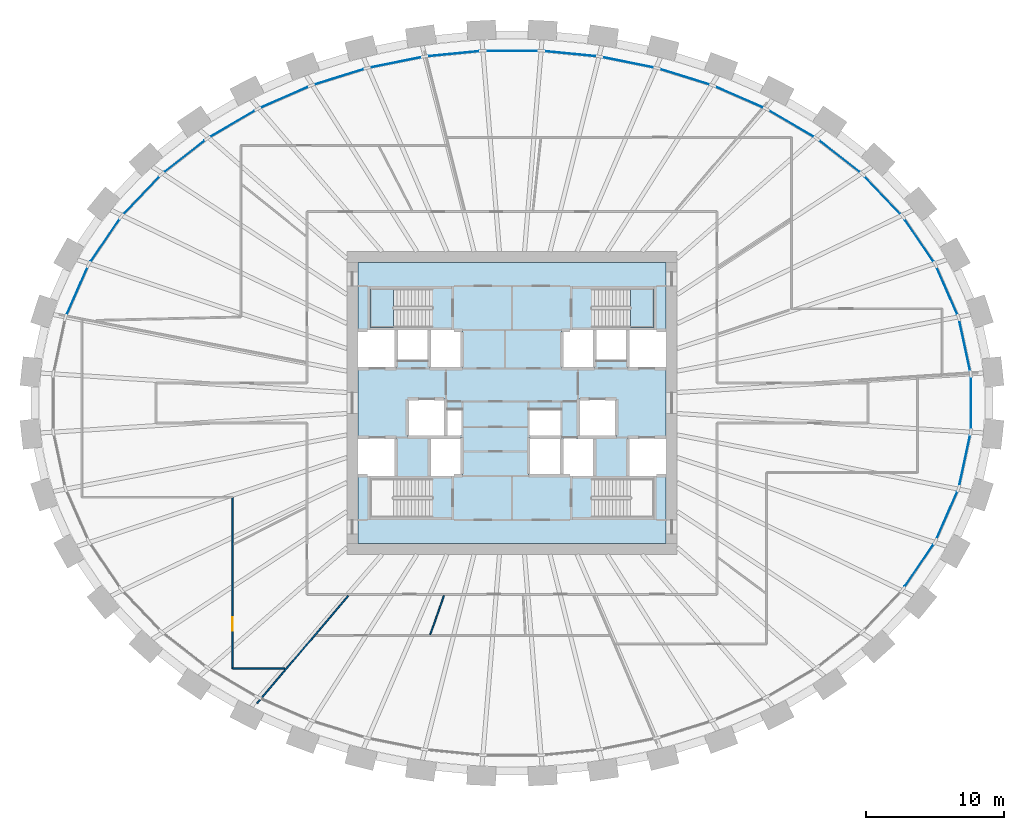
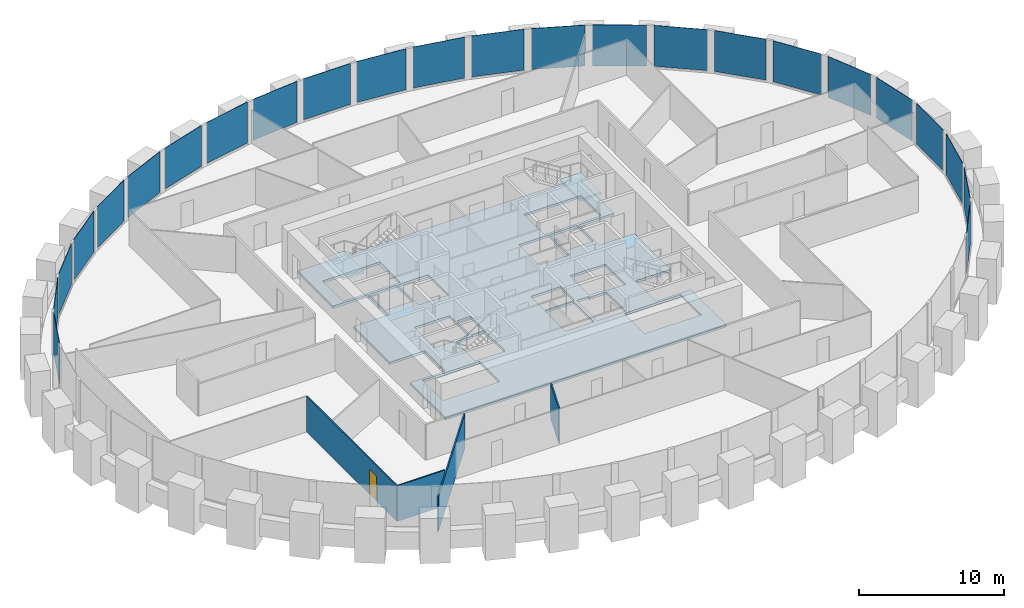
# One storey, part 5 of 11: 24 plates, 4 walls, 3 slabs, 1 door, 1 opening, 3 elements without a shape of their own.
"""IFC4 building model written with IfcOpenShell, lengths in metres."""

import ifcopenshell
import ifcopenshell.guid

model = None  # the IFC model being written
_history = None  # IfcOwnerHistory: only IFC2X3 demands one
_inside = {}  # id of a spatial element -> (the spatial element, [elements in it])
_under = {}  # id of a project, library or spatial element -> (it, [spatial elements below it])
_declared = {}  # id of a project -> (the project, [libraries it declares])
_typed = {}  # id of a type object -> (the type object, [elements of that type])
_made_of = {}  # id of a material, layer set ... -> (it, [elements and type objects made of it])


def new_model(schema):
    """Start an empty IFC model of exactly this schema.

    Asked for "IFC4X3", IfcOpenShell would pick the latest addendum, in which some entities
    have other attributes; the version numbers below select the first issue.
    IFC2X3 requires an IfcOwnerHistory on every rooted entity: one is made here for all.
    """
    global model, _history
    if schema == "IFC4X3":
        model = ifcopenshell.file(schema_version=(4, 3, 0, 0))
    else:
        model = ifcopenshell.file(schema=schema)
    _inside.clear()
    _under.clear()
    _declared.clear()
    _typed.clear()
    _made_of.clear()
    _history = None
    if model.schema == "IFC2X3":
        org = make("IfcOrganization", Name="unknown")
        user = make(
            "IfcPersonAndOrganization",
            ThePerson=make("IfcPerson", FamilyName="unknown"),
            TheOrganization=org,
        )
        app = make(
            "IfcApplication",
            ApplicationDeveloper=org,
            Version="unknown",
            ApplicationFullName="unknown",
            ApplicationIdentifier="unknown",
        )
        _history = make(
            "IfcOwnerHistory",
            OwningUser=user,
            OwningApplication=app,
            ChangeAction="ADDED",
            CreationDate=0,
        )
    return model


def make(cls, **values):
    """One entity of the class cls with the attributes given. An attribute that is None is left unset."""
    return model.create_entity(
        cls, **{name: value for name, value in values.items() if value is not None}
    )


def rooted(cls, **values):
    """An entity with a GlobalId (a new one), such as an element, a storey or a relation."""
    return make(cls, GlobalId=ifcopenshell.guid.new(), OwnerHistory=_history, **values)


def si_unit(unit_type, name, prefix=None):
    """IfcSIUnit, for example si_unit("LENGTHUNIT", "METRE", prefix="MILLI")."""
    return make("IfcSIUnit", UnitType=unit_type, Prefix=prefix, Name=name)


def assignment(units):
    """IfcUnitAssignment: the units of a project."""
    return None if units is None else make("IfcUnitAssignment", Units=units)


def point(xyz):
    """IfcCartesianPoint."""
    return None if xyz is None else make("IfcCartesianPoint", Coordinates=xyz)


def direction(xyz):
    """IfcDirection."""
    return None if xyz is None else make("IfcDirection", DirectionRatios=xyz)


def frame(location, z_axis=None, x_axis=None):
    """IfcAxis2Placement3D, a coordinate frame: its origin and axes. An axis left out is left unset."""
    return make(
        "IfcAxis2Placement3D",
        Location=point(location),
        Axis=direction(z_axis),
        RefDirection=direction(x_axis),
    )


def frame_2d(location, x_axis=None):
    """IfcAxis2Placement2D, a coordinate frame in the plane: its origin and x axis."""
    return make(
        "IfcAxis2Placement2D", Location=point(location), RefDirection=direction(x_axis)
    )


def origin():
    """The frame at (0, 0, 0) with its axes left unset."""
    return frame((0.0, 0.0, 0.0))


def origin_2d():
    """The frame at (0, 0) in the plane with its x axis left unset."""
    return frame_2d((0.0, 0.0))


def place(relative_to, where):
    """IfcLocalPlacement: puts the frame where relative to a parent placement (None: the world)."""
    return make(
        "IfcLocalPlacement", PlacementRelTo=relative_to, RelativePlacement=where
    )


def context(
    kind, dimensions, precision=None, world=None, true_north=None, identifier=None
):
    """IfcGeometricRepresentationContext, for example the 3D "Model" context."""
    return make(
        "IfcGeometricRepresentationContext",
        ContextIdentifier=identifier,
        ContextType=kind,
        CoordinateSpaceDimension=dimensions,
        Precision=precision,
        WorldCoordinateSystem=world,
        TrueNorth=true_north,
    )


def subcontext(parent, identifier, kind, view, scale=None):
    """IfcGeometricRepresentationSubContext, for example "Body" below "Model"."""
    return make(
        "IfcGeometricRepresentationSubContext",
        ContextIdentifier=identifier,
        ContextType=kind,
        ParentContext=parent,
        TargetScale=scale,
        TargetView=view,
    )


def project(units=None, contexts=None):
    """IfcProject with its units and contexts."""
    return rooted(
        "IfcProject",
        Name="project",
        RepresentationContexts=contexts,
        UnitsInContext=assignment(units),
    )


def spatial(cls, under=None, at=None, **own):
    """A site, building, storey or space (cls), placed at a placement, below another one or the project."""
    s = rooted(cls, ObjectPlacement=at, **own)
    if under is not None:
        _under.setdefault(under.id(), (under, []))[1].append(s)
    return s


def polyline(points):
    """IfcPolyline through the points."""
    return make("IfcPolyline", Points=[point(p) for p in points])


def profile(cls, at=None, kind="AREA", **sizes):
    """A parametric profile (cls). Its sizes go by their IFC names, for example OverallWidth=200.0."""
    return make(cls, ProfileType=kind, Position=at, **sizes)


def rectangle(**sizes):
    """IfcRectangleProfileDef."""
    return profile("IfcRectangleProfileDef", **sizes)


def outline(outer, holes=None, kind="AREA"):
    """IfcArbitraryClosedProfileDef: a profile drawn as a closed curve; with holes, ...WithVoids."""
    if holes is None:
        return make("IfcArbitraryClosedProfileDef", ProfileType=kind, OuterCurve=outer)
    return make(
        "IfcArbitraryProfileDefWithVoids",
        ProfileType=kind,
        OuterCurve=outer,
        InnerCurves=holes,
    )


def extrude(swept, where, along, depth):
    """IfcExtrudedAreaSolid: the profile swept, set in the frame where, extruded along a direction by depth."""
    return make(
        "IfcExtrudedAreaSolid",
        SweptArea=swept,
        Position=where,
        ExtrudedDirection=direction(along),
        Depth=depth,
    )


def shape(context_of_items, identifier, shape_type, items):
    """IfcShapeRepresentation: the items that make up one representation, for example the "Body"."""
    return make(
        "IfcShapeRepresentation",
        ContextOfItems=context_of_items,
        RepresentationIdentifier=identifier,
        RepresentationType=shape_type,
        Items=items,
    )


def source(mapping_origin, context_of_items, identifier, shape_type, items):
    """IfcRepresentationMap: a shape defined once, which mapped items show again and again."""
    return make(
        "IfcRepresentationMap",
        MappingOrigin=mapping_origin,
        MappedRepresentation=shape(context_of_items, identifier, shape_type, items),
    )


def transform(
    local_origin,
    x_axis=None,
    y_axis=None,
    z_axis=None,
    scale=None,
    scale2=None,
    scale3=None,
    uniform=True,
):
    """IfcCartesianTransformationOperator3D, or its non-uniform kind. x_axis, y_axis, z_axis: its Axis1, 2, 3."""
    if uniform:
        return make(
            "IfcCartesianTransformationOperator3D",
            Axis1=direction(x_axis),
            Axis2=direction(y_axis),
            LocalOrigin=point(local_origin),
            Scale=scale,
            Axis3=direction(z_axis),
        )
    return make(
        "IfcCartesianTransformationOperator3DnonUniform",
        Axis1=direction(x_axis),
        Axis2=direction(y_axis),
        LocalOrigin=point(local_origin),
        Scale=scale,
        Axis3=direction(z_axis),
        Scale2=scale2,
        Scale3=scale3,
    )


def mapped(mapping_source, mapping_target):
    """IfcMappedItem: shows the shape of a source again, moved by a transform."""
    return make(
        "IfcMappedItem", MappingSource=mapping_source, MappingTarget=mapping_target
    )


def material(Name=None, Category=None):
    """IfcMaterial."""
    return make("IfcMaterial", Name=Name, Category=Category)


def layer(
    of_material, thickness, ventilated=None, Name=None, Category=None, Priority=None
):
    """IfcMaterialLayer: one layer of a wall or slab, of a material (None: an air gap)."""
    return make(
        "IfcMaterialLayer",
        Material=of_material,
        LayerThickness=thickness,
        IsVentilated=ventilated,
        Name=Name,
        Category=Category,
        Priority=Priority,
    )


def layer_set(layers, Name=None):
    """IfcMaterialLayerSet."""
    return make("IfcMaterialLayerSet", MaterialLayers=layers, LayerSetName=Name)


def made_of(thing, what):
    """Note that an element or type object is made of a material, layer set ...; save() writes the relation."""
    if what is not None:
        _made_of.setdefault(what.id(), (what, []))[1].append(thing)
    return thing


def type_object(cls, material=None, **own):
    """A type object (cls), such as IfcWallType, which elements share."""
    return made_of(rooted(cls, **own), material)


def element(
    cls,
    number,
    at=None,
    inside=None,
    cuts=None,
    type_object=None,
    material=None,
    context=None,
    identifier="Body",
    shape_type=None,
    held_by="IfcProductDefinitionShape",
    body=None,
    shapes=None,
    **own,
):
    """One element of the class cls, such as IfcWall. Its Tag is "e" and its number.

    at: its placement. inside: the storey or other place that contains it. cuts: it is an
    opening in that element (IfcRelVoidsElement). A single representation is given by context,
    identifier, shape_type and body (its items); several are given by shapes. held_by: the class
    of the entity that holds the representations. save() writes the other relations.
    """
    e = rooted(cls, Tag="e%d" % number, ObjectPlacement=at, **own)
    if body is not None:
        shapes = [shape(context, identifier, shape_type, body)]
    if shapes is not None:
        e.Representation = make(held_by, Representations=shapes)
    if inside is not None:
        _inside.setdefault(inside.id(), (inside, []))[1].append(e)
    if cuts is not None:
        rooted(
            "IfcRelVoidsElement", RelatingBuildingElement=cuts, RelatedOpeningElement=e
        )
    if type_object is not None:
        _typed.setdefault(type_object.id(), (type_object, []))[1].append(e)
    return made_of(e, material)


def fill(opening, filler):
    """IfcRelFillsElement: the door or window that sits in an opening."""
    return rooted(
        "IfcRelFillsElement",
        RelatingOpeningElement=opening,
        RelatedBuildingElement=filler,
    )


def aggregate(whole, parts):
    """IfcRelAggregates: a whole, such as a stair, and the parts it consists of."""
    return rooted("IfcRelAggregates", RelatingObject=whole, RelatedObjects=parts)


def save(model, path):
    """Write the relations noted so far, then the file.

    IfcRelAggregates (storeys below a building ...), IfcRelContainedInSpatialStructure (elements
    in a storey), IfcRelDefinesByType, IfcRelAssociatesMaterial and IfcRelDeclares: one each for
    every whole, place, type object, material and project.
    """
    for whole, parts in _under.values():
        aggregate(whole, parts)
    for where, things in _inside.values():
        rooted(
            "IfcRelContainedInSpatialStructure",
            RelatedElements=things,
            RelatingStructure=where,
        )
    for kind, things in _typed.values():
        rooted("IfcRelDefinesByType", RelatedObjects=things, RelatingType=kind)
    for what, things in _made_of.values():
        rooted("IfcRelAssociatesMaterial", RelatedObjects=things, RelatingMaterial=what)
    for by, libraries in _declared.values():
        rooted("IfcRelDeclares", RelatingContext=by, RelatedDefinitions=libraries)
    model.write(path)


model = new_model("IFC4")

# Units and contexts
model_context = context("Model", 3, precision=1e-05, world=origin(), true_north=direction((0.0, 1.0)))
body_context = subcontext(model_context, "Body", "Model", "MODEL_VIEW")
ifc_project = project(units=[si_unit("LENGTHUNIT", "METRE"), si_unit("AREAUNIT", "SQUARE_METRE"), si_unit("VOLUMEUNIT", "CUBIC_METRE"), si_unit("PLANEANGLEUNIT", "RADIAN"), si_unit("MASSUNIT", "GRAM", prefix="KILO")], contexts=[model_context])

# Site, building, storey
site_placement = place(None, origin())
site = spatial("IfcSite", under=ifc_project, at=site_placement, CompositionType="ELEMENT")
building_placement = place(site_placement, origin())
building = spatial("IfcBuilding", under=site, at=building_placement, Name="Embergate Tower", CompositionType="ELEMENT")
storey_placement = place(building_placement, frame((0.0, 0.0, 230.699951171875)))
storey = spatial("IfcBuildingStorey", under=building, at=storey_placement, Name="L53", CompositionType="ELEMENT", Elevation=230.699951171875)

# Curtain wall, plates
ifc_material_1 = material(Name="Aluminium and glass", Category="aluminium")
curtain_wall_type = type_object("IfcCurtainWallType", Name="Recessed office glazing", PredefinedType="NOTDEFINED", material=ifc_material_1)
curtain_wall_placement = place(storey_placement, origin())
curtain_wall = element("IfcCurtainWall", 1, at=curtain_wall_placement, inside=storey, type_object=curtain_wall_type, Name="Recessed office glazing ring", ObjectType="RECESSED OFFICE GLAZING", PredefinedType="USERDEFINED")
ifc_material_2 = material(Name="Triple glazing, low-emissivity coating", Category="glass")
ifc_layer_1 = layer(ifc_material_2, 0.035888671875)
ifc_layer_set_1 = layer_set([ifc_layer_1], Name="Triple glazing, low-emissivity coating")
plate_type = type_object("IfcPlateType", Name="Office glazing unit", PredefinedType="CURTAIN_PANEL", material=ifc_layer_set_1)
shared_shape_1 = source(origin(), body_context, "Body", "SweptSolid", [
    extrude(rectangle(XDim=3.68310546875, YDim=0.035888671875, at=origin_2d()), origin(), (0.0, 0.0, 1.0), 3.449951171875),
])
plate_1_placement = place(storey_placement, frame((32.88720703125, 4.15478515625, 0.14990234375), z_axis=(0.0, 0.0, 1.0), x_axis=(-0.210403509958, 0.977614629083, 0.0)))
plate_1 = element("IfcPlate", 2, at=plate_1_placement, type_object=plate_type, Name="CW panel 1.1", PredefinedType="CURTAIN_PANEL", context=body_context, shape_type="MappedRepresentation", body=[
    mapped(shared_shape_1, transform((0.0, 0.0, 0.0))),
])
plate_2_placement = place(storey_placement, frame((32.88720703125, -4.15478515625, 0.14990234375), z_axis=(0.0, 0.0, 1.0), x_axis=(0.210403509958, 0.977614629083, 0.0)))
plate_2 = element("IfcPlate", 3, at=plate_2_placement, type_object=plate_type, Name="CW panel 43.1", PredefinedType="CURTAIN_PANEL", context=body_context, shape_type="MappedRepresentation", body=[
    mapped(shared_shape_1, transform((0.0, 0.0, 0.0))),
])
shared_shape_2 = source(origin(), body_context, "Body", "SweptSolid", [
    extrude(rectangle(XDim=3.68994140625, YDim=0.035888671875, at=origin_2d()), origin(), (0.0, 0.0, 1.0), 3.449951171875),
])
plate_3_placement = place(storey_placement, frame((31.599609375, 8.13671875, 0.14990234375), z_axis=(0.0, 0.0, 1.0), x_axis=(-0.40166169129, 0.915788122739, 0.0)))
plate_3 = element("IfcPlate", 4, at=plate_3_placement, type_object=plate_type, Name="CW panel 2.1", PredefinedType="CURTAIN_PANEL", context=body_context, shape_type="MappedRepresentation", body=[
    mapped(shared_shape_2, transform((0.0, 0.0, 0.0))),
])
plate_4_placement = place(storey_placement, frame((-31.599609375, 8.13671875, 0.14990234375), z_axis=(0.0, 0.0, 1.0), x_axis=(-0.40166169129, -0.915788122739, 0.0)))
plate_4 = element("IfcPlate", 5, at=plate_4_placement, type_object=plate_type, Name="CW panel 20.1", PredefinedType="CURTAIN_PANEL", context=body_context, shape_type="MappedRepresentation", body=[
    mapped(shared_shape_2, transform((0.0, 0.0, 0.0))),
])
plate_5_placement = place(storey_placement, frame((31.599609375, -8.13671875, 0.14990234375), z_axis=(0.0, 0.0, 1.0), x_axis=(0.40166169129, 0.915788122739, 0.0)))
plate_5 = element("IfcPlate", 6, at=plate_5_placement, type_object=plate_type, Name="CW panel 42.1", PredefinedType="CURTAIN_PANEL", context=body_context, shape_type="MappedRepresentation", body=[
    mapped(shared_shape_2, transform((0.0, 0.0, 0.0))),
])
shared_shape_3 = source(origin(), body_context, "Body", "SweptSolid", [
    extrude(rectangle(XDim=3.698486328125, YDim=0.035888671875, at=origin_2d()), origin(), (0.0, 0.0, 1.0), 3.449951171875),
])
plate_6_placement = place(storey_placement, frame((29.568115234375, 11.80859375, 0.14990234375), z_axis=(0.0, 0.0, 1.0), x_axis=(-0.562351844423, 0.826898060872, 0.0)))
plate_6 = element("IfcPlate", 7, at=plate_6_placement, type_object=plate_type, Name="CW panel 3.1", PredefinedType="CURTAIN_PANEL", context=body_context, shape_type="MappedRepresentation", body=[
    mapped(shared_shape_3, transform((0.0, 0.0, 0.0))),
])
plate_7_placement = place(storey_placement, frame((-29.568115234375, 11.80859375, 0.14990234375), z_axis=(0.0, 0.0, 1.0), x_axis=(-0.562351844423, -0.826898060872, 0.0)))
plate_7 = element("IfcPlate", 8, at=plate_7_placement, type_object=plate_type, Name="CW panel 19.1", PredefinedType="CURTAIN_PANEL", context=body_context, shape_type="MappedRepresentation", body=[
    mapped(shared_shape_3, transform((0.0, 0.0, 0.0))),
])
plate_8_placement = place(storey_placement, frame((29.568115234375, -11.80859375, 0.14990234375), z_axis=(0.0, 0.0, 1.0), x_axis=(0.562351844423, 0.826898060872, 0.0)))
plate_8 = element("IfcPlate", 9, at=plate_8_placement, type_object=plate_type, Name="CW panel 41.1", PredefinedType="CURTAIN_PANEL", context=body_context, shape_type="MappedRepresentation", body=[
    mapped(shared_shape_3, transform((0.0, 0.0, 0.0))),
])
shared_shape_4 = source(origin(), body_context, "Body", "SweptSolid", [
    extrude(rectangle(XDim=3.707275390625, YDim=0.035888671875, at=origin_2d()), origin(), (0.0, 0.0, 1.0), 3.449951171875),
])
plate_9_placement = place(storey_placement, frame((26.923095703125, 15.08251953125, 0.14990234375), z_axis=(0.0, 0.0, 1.0), x_axis=(-0.690143888901, 0.723672172059, 0.0)))
plate_9 = element("IfcPlate", 10, at=plate_9_placement, type_object=plate_type, Name="CW panel 4.1", PredefinedType="CURTAIN_PANEL", context=body_context, shape_type="MappedRepresentation", body=[
    mapped(shared_shape_4, transform((0.0, 0.0, 0.0))),
])
plate_10_placement = place(storey_placement, frame((-26.923095703125, 15.08251953125, 0.14990234375), z_axis=(0.0, 0.0, 1.0), x_axis=(-0.690143888901, -0.723672172059, 0.0)))
plate_10 = element("IfcPlate", 11, at=plate_10_placement, type_object=plate_type, Name="CW panel 18.1", PredefinedType="CURTAIN_PANEL", context=body_context, shape_type="MappedRepresentation", body=[
    mapped(shared_shape_4, transform((0.0, 0.0, 0.0))),
])
shared_shape_5 = source(origin(), body_context, "Body", "SweptSolid", [
    extrude(rectangle(XDim=3.714599609375, YDim=0.035888671875, at=origin_2d()), origin(), (0.0, 0.0, 1.0), 3.449951171875),
])
plate_11_placement = place(storey_placement, frame((23.79541015625, 17.914794921875, 0.14990234375), z_axis=(0.0, 0.0, 1.0), x_axis=(-0.788327636079, 0.615255668965, 0.0)))
plate_11 = element("IfcPlate", 12, at=plate_11_placement, type_object=plate_type, Name="CW panel 5.1", PredefinedType="CURTAIN_PANEL", context=body_context, shape_type="MappedRepresentation", body=[
    mapped(shared_shape_5, transform((0.0, 0.0, 0.0))),
])
plate_12_placement = place(storey_placement, frame((-23.79541015625, 17.914794921875, 0.14990234375), z_axis=(0.0, 0.0, 1.0), x_axis=(-0.788327636079, -0.615255668965, 0.0)))
plate_12 = element("IfcPlate", 13, at=plate_12_placement, type_object=plate_type, Name="CW panel 17.1", PredefinedType="CURTAIN_PANEL", context=body_context, shape_type="MappedRepresentation", body=[
    mapped(shared_shape_5, transform((0.0, 0.0, 0.0))),
])
shared_shape_6 = source(origin(), body_context, "Body", "SweptSolid", [
    extrude(rectangle(XDim=3.720458984375, YDim=0.035888671875, at=origin_2d()), origin(), (0.0, 0.0, 1.0), 3.449951171875),
])
plate_13_placement = place(storey_placement, frame((20.29833984375, 20.2919921875, 0.14990234375), z_axis=(0.0, 0.0, 1.0), x_axis=(-0.862058475148, 0.506808825323, 0.0)))
plate_13 = element("IfcPlate", 14, at=plate_13_placement, type_object=plate_type, Name="CW panel 6.1", PredefinedType="CURTAIN_PANEL", context=body_context, shape_type="MappedRepresentation", body=[
    mapped(shared_shape_6, transform((0.0, 0.0, 0.0))),
])
plate_14_placement = place(storey_placement, frame((-20.29833984375, 20.2919921875, 0.14990234375), z_axis=(0.0, 0.0, 1.0), x_axis=(-0.862058475148, -0.506808825323, 0.0)))
plate_14 = element("IfcPlate", 15, at=plate_14_placement, type_object=plate_type, Name="CW panel 16.1", PredefinedType="CURTAIN_PANEL", context=body_context, shape_type="MappedRepresentation", body=[
    mapped(shared_shape_6, transform((0.0, 0.0, 0.0))),
])
shared_shape_7 = source(origin(), body_context, "Body", "SweptSolid", [
    extrude(rectangle(XDim=3.72509765625, YDim=0.035888671875, at=origin_2d()), origin(), (0.0, 0.0, 1.0), 3.449951171875),
])
plate_15_placement = place(storey_placement, frame((16.52587890625, 22.216796875, 0.14990234375), z_axis=(0.0, 0.0, 1.0), x_axis=(-0.916239008703, 0.400632099227, 0.0)))
plate_15 = element("IfcPlate", 16, at=plate_15_placement, type_object=plate_type, Name="CW panel 7.1", PredefinedType="CURTAIN_PANEL", context=body_context, shape_type="MappedRepresentation", body=[
    mapped(shared_shape_7, transform((0.0, 0.0, 0.0))),
])
plate_16_placement = place(storey_placement, frame((-16.52587890625, 22.216796875, 0.14990234375), z_axis=(0.0, 0.0, 1.0), x_axis=(-0.916239008703, -0.400632099227, 0.0)))
plate_16 = element("IfcPlate", 17, at=plate_16_placement, type_object=plate_type, Name="CW panel 15.1", PredefinedType="CURTAIN_PANEL", context=body_context, shape_type="MappedRepresentation", body=[
    mapped(shared_shape_7, transform((0.0, 0.0, 0.0))),
])
shared_shape_8 = source(origin(), body_context, "Body", "SweptSolid", [
    extrude(rectangle(XDim=3.728271484375, YDim=0.035888671875, at=origin_2d()), origin(), (0.0, 0.0, 1.0), 3.449951171875),
])
plate_17_placement = place(storey_placement, frame((12.552978515625, 23.69873046875, 0.14990234375), z_axis=(0.0, 0.0, 1.0), x_axis=(-0.954773774021, 0.297333214496, 0.0)))
plate_17 = element("IfcPlate", 18, at=plate_17_placement, type_object=plate_type, Name="CW panel 8.1", PredefinedType="CURTAIN_PANEL", context=body_context, shape_type="MappedRepresentation", body=[
    mapped(shared_shape_8, transform((0.0, 0.0, 0.0))),
])
plate_18_placement = place(storey_placement, frame((-12.552978515625, 23.69873046875, 0.14990234375), z_axis=(0.0, 0.0, 1.0), x_axis=(-0.954773774021, -0.297333214496, 0.0)))
plate_18 = element("IfcPlate", 19, at=plate_18_placement, type_object=plate_type, Name="CW panel 14.1", PredefinedType="CURTAIN_PANEL", context=body_context, shape_type="MappedRepresentation", body=[
    mapped(shared_shape_8, transform((0.0, 0.0, 0.0))),
])
shared_shape_9 = source(origin(), body_context, "Body", "SweptSolid", [
    extrude(rectangle(XDim=3.73046875, YDim=0.035888671875, at=origin_2d()), origin(), (0.0, 0.0, 1.0), 3.449951171875),
])
plate_19_placement = place(storey_placement, frame((8.441162109375, 24.748291015625, 0.14990234375), z_axis=(0.0, 0.0, 1.0), x_axis=(-0.980476593804, 0.196635828382, 0.0)))
plate_19 = element("IfcPlate", 20, at=plate_19_placement, type_object=plate_type, Name="CW panel 9.1", PredefinedType="CURTAIN_PANEL", context=body_context, shape_type="MappedRepresentation", body=[
    mapped(shared_shape_9, transform((0.0, 0.0, 0.0))),
])
plate_20_placement = place(storey_placement, frame((-8.441162109375, 24.748291015625, 0.14990234375), z_axis=(0.0, 0.0, 1.0), x_axis=(-0.980476593804, -0.196635828382, 0.0)))
plate_20 = element("IfcPlate", 21, at=plate_20_placement, type_object=plate_type, Name="CW panel 13.1", PredefinedType="CURTAIN_PANEL", context=body_context, shape_type="MappedRepresentation", body=[
    mapped(shared_shape_9, transform((0.0, 0.0, 0.0))),
])
shared_shape_10 = source(origin(), body_context, "Body", "SweptSolid", [
    extrude(rectangle(XDim=3.731689453125, YDim=0.035888671875, at=origin_2d()), origin(), (0.0, 0.0, 1.0), 3.449951171875),
])
plate_21_placement = place(storey_placement, frame((4.24169921875, 25.3740234375, 0.14990234375), z_axis=(0.0, 0.0, 1.0), x_axis=(-0.995203355531, 0.09782781373, 0.0)))
plate_21 = element("IfcPlate", 22, at=plate_21_placement, type_object=plate_type, Name="CW panel 10.1", PredefinedType="CURTAIN_PANEL", context=body_context, shape_type="MappedRepresentation", body=[
    mapped(shared_shape_10, transform((0.0, 0.0, 0.0))),
])
plate_22_placement = place(storey_placement, frame((-4.24169921875, 25.3740234375, 0.14990234375), z_axis=(0.0, 0.0, 1.0), x_axis=(-0.995203355531, -0.09782781373, 0.0)))
plate_22 = element("IfcPlate", 23, at=plate_22_placement, type_object=plate_type, Name="CW panel 12.1", PredefinedType="CURTAIN_PANEL", context=body_context, shape_type="MappedRepresentation", body=[
    mapped(shared_shape_10, transform((0.0, 0.0, 0.0))),
])
shared_shape_11 = source(origin(), body_context, "Body", "SweptSolid", [
    extrude(rectangle(XDim=3.732177734375, YDim=0.035888671875, at=origin_2d()), origin(), (0.0, 0.0, 1.0), 3.449951171875),
])
plate_23_placement = place(storey_placement, frame((0.0, 25.58203125, 0.14990234375), z_axis=(0.0, 0.0, 1.0), x_axis=(-1.0, 0.0, 0.0)))
plate_23 = element("IfcPlate", 24, at=plate_23_placement, type_object=plate_type, Name="CW panel 11.1", PredefinedType="CURTAIN_PANEL", context=body_context, shape_type="MappedRepresentation", body=[
    mapped(shared_shape_11, transform((0.0, 0.0, 0.0))),
])
shared_shape_12 = source(origin(), body_context, "Body", "SweptSolid", [
    extrude(rectangle(XDim=3.680419921875, YDim=0.035888671875, at=origin_2d()), origin(), (0.0, 0.0, 1.0), 3.449951171875),
])
plate_24_placement = place(storey_placement, frame((33.32958984375, 0.0, 0.14990234375), z_axis=(0.0, 0.0, 1.0), x_axis=(0.0, 1.0, 0.0)))
plate_24 = element("IfcPlate", 25, at=plate_24_placement, type_object=plate_type, Name="CW panel 44.1", PredefinedType="CURTAIN_PANEL", context=body_context, shape_type="MappedRepresentation", body=[
    mapped(shared_shape_12, transform((0.0, 0.0, 0.0))),
])
aggregate(curtain_wall, [plate_1, plate_3, plate_6, plate_9, plate_11, plate_13, plate_15, plate_17, plate_19, plate_21, plate_23, plate_22, plate_20, plate_18, plate_16, plate_14, plate_12, plate_10, plate_7, plate_4, plate_8, plate_5, plate_2, plate_24])

# Stair, slab
ifc_material_3 = material(Name="Exit stair")
stair_type = type_object("IfcStairType", Name="Exit stair", PredefinedType="HALF_TURN_STAIR", material=ifc_material_3)
stair_1_placement = place(storey_placement, origin())
stair_1 = element("IfcStair", 26, at=stair_1_placement, inside=storey, type_object=stair_type, Name="L53 Exit stair 1", PredefinedType="HALF_TURN_STAIR")
ifc_material_4 = material(Name="Concrete C40", Category="concrete")
ifc_layer_2 = layer(ifc_material_4, 0.199951171875)
ifc_layer_set_2 = layer_set([ifc_layer_2], Name="Concrete C40")
slab_type_1 = type_object("IfcSlabType", Name="Stair landing reinforced concrete", PredefinedType="LANDING", material=ifc_layer_set_2)
shared_shape_13 = source(origin(), body_context, "Body", "SweptSolid", [
    extrude(outline(polyline([(0.0, 0.0), (1.68994140625, 0.0), (1.68994140625, 2.800048828125), (0.0, 2.800048828125), (0.0, 0.0)])), origin(), (0.0, 0.0, 1.0), 0.199951171875),
])
slab_1_placement = place(storey_placement, frame((-10.300048828125, 5.5, 1.75)))
slab_1 = element("IfcSlab", 27, at=slab_1_placement, type_object=slab_type_1, Name="ST1 landing 1", PredefinedType="LANDING", context=body_context, shape_type="MappedRepresentation", body=[
    mapped(shared_shape_13, transform((0.0, 0.0, 0.0))),
])
aggregate(stair_1, [slab_1])

stair_2_placement = place(storey_placement, origin())
stair_2 = element("IfcStair", 28, at=stair_2_placement, inside=storey, type_object=stair_type, Name="L53 Exit stair 2", PredefinedType="HALF_TURN_STAIR")
slab_2_placement = place(storey_placement, frame((8.610107421875, 5.5, 1.75)))
slab_2 = element("IfcSlab", 29, at=slab_2_placement, type_object=slab_type_1, Name="ST2 landing 1", PredefinedType="LANDING", context=body_context, shape_type="MappedRepresentation", body=[
    mapped(shared_shape_13, transform((0.0, 0.0, 0.0))),
])
aggregate(stair_2, [slab_2])

# Slab
ifc_layer_3 = layer(ifc_material_4, 0.199951171875)
ifc_layer_set_3 = layer_set([ifc_layer_3], Name="Concrete C40")
slab_type_2 = type_object("IfcSlabType", Name="Core floor slab 200 reinforced concrete", PredefinedType="FLOOR", material=ifc_layer_set_3)
shared_shape_14 = source(origin(), body_context, "Body", "SweptSolid", [
    extrude(outline(polyline([(0.0, 0.0), (22.39990234375, 0.0), (22.39990234375, 4.89990234375), (19.599853515625, 4.89990234375), (19.599853515625, 7.699951171875), (22.39990234375, 7.699951171875), (22.39990234375, 12.699951171875), (19.599853515625, 12.699951171875), (19.599853515625, 15.5), (22.39990234375, 15.5), (22.39990234375, 20.39990234375), (0.0, 20.39990234375), (0.0, 15.5), (2.800048828125, 15.5), (2.800048828125, 12.699951171875), (0.0, 12.699951171875), (0.0, 7.699951171875), (2.800048828125, 7.699951171875), (2.800048828125, 4.89990234375), (0.0, 4.89990234375), (0.0, 0.0)]), holes=[polyline([(0.89990234375, 1.89990234375), (0.89990234375, 4.699951171875), (5.43994140625, 4.699951171875), (5.43994140625, 1.89990234375), (0.89990234375, 1.89990234375)]), polyline([(16.9599609375, 1.89990234375), (16.9599609375, 4.699951171875), (21.5, 4.699951171875), (21.5, 1.89990234375), (16.9599609375, 1.89990234375)]), polyline([(5.199951171875, 4.89990234375), (5.199951171875, 7.574951171875), (6.52490234375, 7.574951171875), (6.52490234375, 7.699951171875), (7.599853515625, 7.699951171875), (7.599853515625, 4.89990234375), (5.199951171875, 4.89990234375)]), polyline([(12.39990234375, 4.89990234375), (12.39990234375, 7.699951171875), (14.675048828125, 7.699951171875), (14.675048828125, 4.89990234375), (12.39990234375, 4.89990234375)]), polyline([(14.925048828125, 4.89990234375), (14.925048828125, 7.699951171875), (15.875, 7.699951171875), (15.875, 7.574951171875), (17.199951171875, 7.574951171875), (17.199951171875, 4.89990234375), (14.925048828125, 4.89990234375)]), polyline([(3.599853515625, 7.699951171875), (3.599853515625, 10.5), (6.39990234375, 10.5), (6.39990234375, 7.824951171875), (5.074951171875, 7.824951171875), (5.074951171875, 7.699951171875), (3.599853515625, 7.699951171875)]), polyline([(17.324951171875, 7.699951171875), (17.324951171875, 7.824951171875), (16.0, 7.824951171875), (16.0, 10.5), (18.800048828125, 10.5), (18.800048828125, 7.699951171875), (17.324951171875, 7.699951171875)]), polyline([(6.52490234375, 7.824951171875), (6.52490234375, 9.699951171875), (7.599853515625, 9.699951171875), (7.599853515625, 7.824951171875), (6.52490234375, 7.824951171875)]), polyline([(12.39990234375, 7.824951171875), (12.39990234375, 9.699951171875), (14.800048828125, 9.699951171875), (14.800048828125, 7.824951171875), (14.675048828125, 7.824951171875), (12.39990234375, 7.824951171875)]), polyline([(5.199951171875, 12.699951171875), (5.199951171875, 15.5), (7.599853515625, 15.5), (7.599853515625, 12.699951171875), (5.199951171875, 12.699951171875)]), polyline([(14.800048828125, 12.699951171875), (14.800048828125, 15.5), (17.199951171875, 15.5), (17.199951171875, 12.699951171875), (14.800048828125, 12.699951171875)]), polyline([(2.925048828125, 13.300048828125), (2.925048828125, 15.5), (5.074951171875, 15.5), (5.074951171875, 13.300048828125), (2.925048828125, 13.300048828125)]), polyline([(17.324951171875, 13.300048828125), (17.324951171875, 15.5), (19.474853515625, 15.5), (19.474853515625, 13.300048828125), (17.324951171875, 13.300048828125)]), polyline([(0.89990234375, 15.699951171875), (0.89990234375, 18.5), (5.43994140625, 18.5), (5.43994140625, 15.699951171875), (0.89990234375, 15.699951171875)]), polyline([(16.9599609375, 15.699951171875), (16.9599609375, 18.5), (21.5, 18.5), (21.5, 15.699951171875), (16.9599609375, 15.699951171875)])]), origin(), (0.0, 0.0, 1.0), 0.199951171875),
])
slab_3_placement = place(storey_placement, frame((-11.199951171875, -10.199951171875, -0.199951171875)))
element("IfcSlab", 30, at=slab_3_placement, inside=storey, type_object=slab_type_2, Name="Core floor slab", PredefinedType="FLOOR", context=body_context, shape_type="MappedRepresentation", body=[
    mapped(shared_shape_14, transform((0.0, 0.0, 0.0))),
])

# Walls
ifc_material_5 = material(Name="Partition dry-lined 100 wet")
ifc_layer_4 = layer(ifc_material_5, 0.10009765625)
ifc_layer_set_4 = layer_set([ifc_layer_4], Name="Partition dry-lined 100 wet")
wall_type_1 = type_object("IfcWallType", Name="Partition dry-lined 100 wet", PredefinedType="PLUMBINGWALL", material=ifc_layer_set_4)
shared_shape_15 = source(origin(), body_context, "Body", "SweptSolid", [
    extrude(rectangle(XDim=3.01318359375, YDim=0.10009765625, at=frame_2d((1.506591796875, 0.0))), origin(), (0.0, 0.0, 1.0), 3.0),
])
wall_1_placement = place(storey_placement, frame((-4.94091796875, -13.991943359375, 0.0), z_axis=(0.0, 0.0, 1.0), x_axis=(-0.333239649272, -0.942842158663, 0.0)))
element("IfcWall", 31, at=wall_1_placement, inside=storey, type_object=wall_type_1, Name="IP-1 wall", PredefinedType="PLUMBINGWALL", context=body_context, shape_type="MappedRepresentation", body=[
    mapped(shared_shape_15, transform((0.0, 0.0, 0.0))),
])
shared_shape_16 = source(origin(), body_context, "Body", "SweptSolid", [
    extrude(rectangle(XDim=10.236083984375, YDim=0.10009765625, at=frame_2d((5.1181640625, 0.0))), origin(), (0.0, 0.0, 1.0), 2.900146484375),
])
wall_2_placement = place(storey_placement, frame((-18.51806640625, -21.81005859375, 0.0), z_axis=(0.0, 0.0, 1.0), x_axis=(0.647221146286, 0.762302294238, 0.0)))
element("IfcWall", 32, at=wall_2_placement, inside=storey, type_object=wall_type_1, Name="IP-1 wall", PredefinedType="PLUMBINGWALL", context=body_context, shape_type="MappedRepresentation", body=[
    mapped(shared_shape_16, transform((0.0, 0.0, 0.0))),
])

# Wall, opening, door
ifc_material_6 = material(Name="Partition dry-lined 100")
ifc_layer_5 = layer(ifc_material_6, 0.10009765625)
ifc_layer_set_5 = layer_set([ifc_layer_5], Name="Partition dry-lined 100")
wall_type_2 = type_object("IfcWallType", Name="Partition dry-lined 100", PredefinedType="PARTITIONING", material=ifc_layer_set_5)
shared_shape_17 = source(origin(), body_context, "Body", "SweptSolid", [
    extrude(rectangle(XDim=12.449951171875, YDim=0.10009765625, at=frame_2d((6.22509765625, 0.0))), origin(), (0.0, 0.0, 1.0), 3.0),
])
wall_3_placement = place(storey_placement, frame((-20.300048828125, -19.300048828125, 0.0), z_axis=(0.0, 0.0, 1.0), x_axis=(0.0, 1.0, 0.0)))
wall_3 = element("IfcWall", 33, at=wall_3_placement, inside=storey, type_object=wall_type_2, Name="IP-1 wall", PredefinedType="PARTITIONING", context=body_context, shape_type="MappedRepresentation", body=[
    mapped(shared_shape_17, transform((0.0, 0.0, 0.0))),
])
shared_shape_18 = source(origin(), body_context, "Body", "SweptSolid", [
    extrude(rectangle(XDim=1.0, YDim=2.10009765625, at=frame_2d((0.5, 1.050048828125))), frame((0.0, 0.06005859375, 0.0), z_axis=(0.0, -1.0, 0.0), x_axis=(1.0, 0.0, 0.0)), (0.0, 0.0, 1.0), 0.1201171875),
])
opening_placement = place(wall_3_placement, frame((2.742919921875, 0.0, 0.0)))
opening = element("IfcOpeningElement", 34, at=opening_placement, cuts=wall_3, Name="Opening ID-2", PredefinedType="OPENING", context=body_context, shape_type="MappedRepresentation", body=[
    mapped(shared_shape_18, transform((0.0, 0.0, 0.0))),
])
ifc_material_7 = material(Name="Interior door 1000")
door_type = type_object("IfcDoorType", Name="Interior door 1000", OperationType="SINGLE_SWING_LEFT", PredefinedType="DOOR", material=ifc_material_7)
shared_shape_19 = source(origin(), body_context, "Body", "SweptSolid", [
    extrude(rectangle(XDim=1.0, YDim=2.10009765625, at=frame_2d((0.5, 1.050048828125))), frame((0.0, 0.02490234375, 0.0), z_axis=(0.0, -1.0, 0.0), x_axis=(1.0, 0.0, 0.0)), (0.0, 0.0, 1.0), 0.050048828125),
])
door_placement = place(opening_placement, origin())
door = element("IfcDoor", 35, at=door_placement, inside=storey, type_object=door_type, Name="ID-2 door", OperationType="SINGLE_SWING_RIGHT", OverallHeight=2.10009765625, OverallWidth=1.0, PredefinedType="DOOR", context=body_context, shape_type="MappedRepresentation", body=[
    mapped(shared_shape_19, transform((0.0, 0.0, 0.0))),
])
fill(opening, door)

# Wall
shared_shape_20 = source(origin(), body_context, "Body", "SweptSolid", [
    extrude(rectangle(XDim=3.804931640625, YDim=0.10009765625, at=frame_2d((1.90234375, 0.0))), origin(), (0.0, 0.0, 1.0), 3.0),
])
wall_4_placement = place(storey_placement, frame((-20.300048828125, -19.300048828125, 0.0), z_axis=(0.0, 0.0, 1.0), x_axis=(1.0, 0.0, 0.0)))
element("IfcWall", 36, at=wall_4_placement, inside=storey, type_object=wall_type_2, Name="IP-1 wall", PredefinedType="PARTITIONING", context=body_context, shape_type="MappedRepresentation", body=[
    mapped(shared_shape_20, transform((0.0, 0.0, 0.0))),
])

save(model, "model.ifc")
